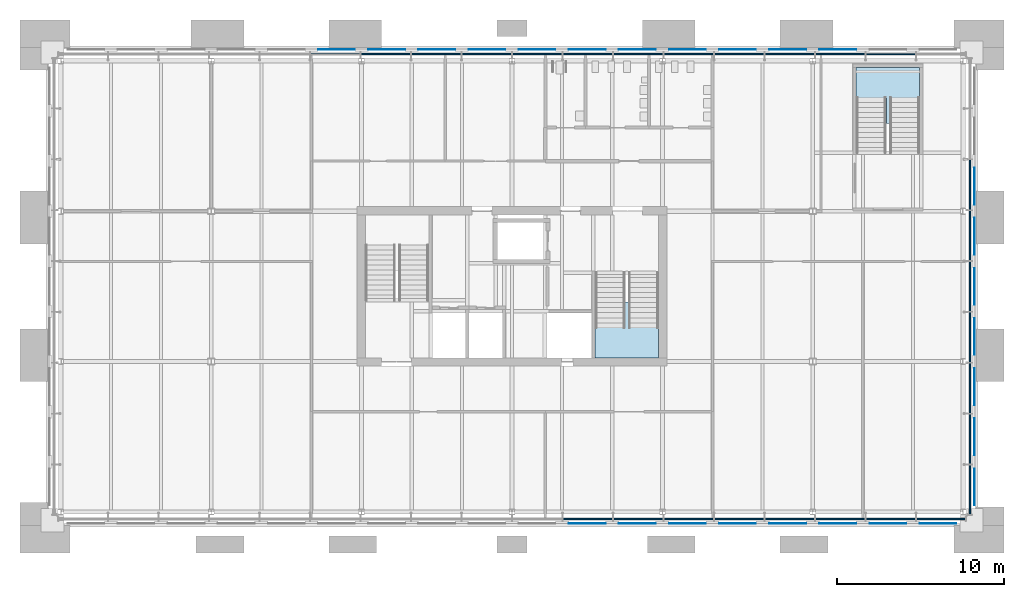
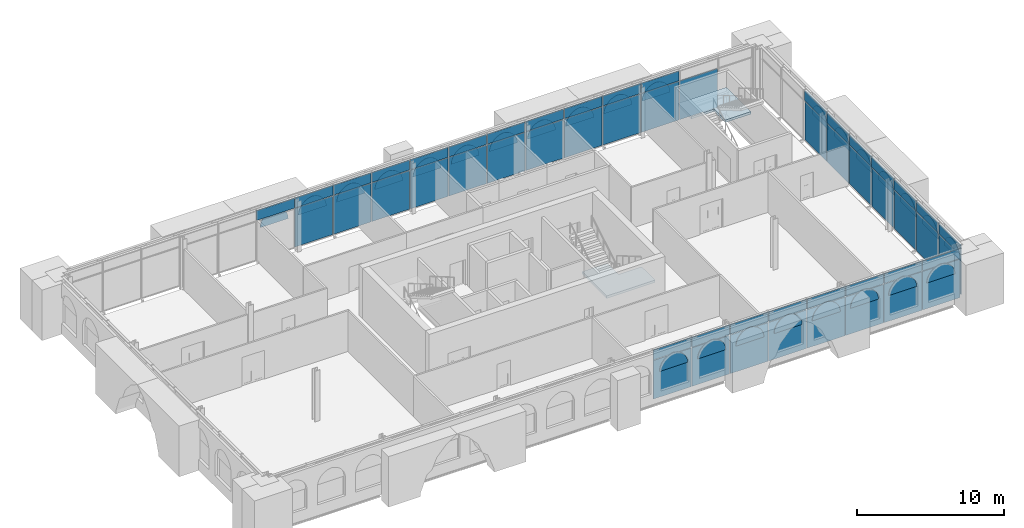
# One storey, part 10 of 22: 78 plates, 2 slabs, 5 elements without a shape of their own.
"""IFC4 building model written with IfcOpenShell, lengths in metres."""

from ifc_helpers import new_model, si_unit, direction, frame, origin, origin_2d, place, context, subcontext, project, spatial, polyline, rectangle, outline, extrude, material, layer, layer_set, type_object, element, aggregate, save


model = new_model("IFC4")

# Units and contexts
model_context = context("Model", 3, precision=1e-05, world=origin(), true_north=direction((0.0, 1.0)))
body_context = subcontext(model_context, "Body", "Model", "MODEL_VIEW")
ifc_project = project(units=[si_unit("LENGTHUNIT", "METRE"), si_unit("AREAUNIT", "SQUARE_METRE"), si_unit("VOLUMEUNIT", "CUBIC_METRE"), si_unit("PLANEANGLEUNIT", "RADIAN"), si_unit("MASSUNIT", "GRAM", prefix="KILO")], contexts=[model_context])

# Site, building, storey
site_placement = place(None, origin())
site = spatial("IfcSite", under=ifc_project, at=site_placement, CompositionType="ELEMENT")
building_placement = place(site_placement, origin())
building = spatial("IfcBuilding", under=site, at=building_placement, Name="Baradari Gate Terminus", CompositionType="ELEMENT")
storey_placement = place(building_placement, frame((0.0, 0.0, 28.5)))
storey = spatial("IfcBuildingStorey", under=building, at=storey_placement, Name="L06", CompositionType="ELEMENT", Elevation=28.5)

# Plates
ifc_material_1 = material(Name="Insulating glass unit", Category="glass")
ifc_layer_1 = layer(ifc_material_1, 0.0400390625)
ifc_layer_set_1 = layer_set([ifc_layer_1], Name="Insulating glass unit")
plate_type_1 = type_object("IfcPlateType", Name="Arch head glazing CP-AH 40", PredefinedType="SHEET", material=ifc_layer_set_1)
for number, where, z_axis, x_axis, name in (
    (1, (39.39990234375, 116.320068359375, 2.39990234375), (0.0, 0.0, 1.0), (1.0, 0.0, 0.0), "Arch head glazing CP-AH L06 S face 11"),
    (2, (42.39990234375, 116.320068359375, 2.39990234375), (0.0, 0.0, 1.0), (1.0, 0.0, 0.0), "Arch head glazing CP-AH L06 S face 12"),
    (3, (45.39990234375, 116.320068359375, 2.39990234375), (0.0, 0.0, 1.0), (1.0, 0.0, 0.0), "Arch head glazing CP-AH L06 S face 13"),
    (4, (48.39990234375, 116.320068359375, 2.39990234375), (0.0, 0.0, 1.0), (1.0, 0.0, 0.0), "Arch head glazing CP-AH L06 S face 14"),
    (5, (51.39990234375, 116.320068359375, 2.39990234375), (0.0, 0.0, 1.0), (1.0, 0.0, 0.0), "Arch head glazing CP-AH L06 S face 15"),
    (6, (54.39990234375, 116.320068359375, 2.39990234375), (0.0, 0.0, 1.0), (1.0, 0.0, 0.0), "Arch head glazing CP-AH L06 S face 16"),
    (7, (57.39990234375, 116.320068359375, 2.39990234375), (0.0, 0.0, 1.0), (1.0, 0.0, 0.0), "Arch head glazing CP-AH L06 S face 17"),
    (8, (60.39990234375, 116.320068359375, 2.39990234375), (0.0, 0.0, 1.0), (1.0, 0.0, 0.0), "Arch head glazing CP-AH L06 S face 18"),
    (9, (63.679931640625, 117.39990234375, 2.39990234375), (0.0, 0.0, 1.0), (0.0, 1.0, 0.0), "Arch head glazing CP-AH L06 E face 1"),
    (10, (63.679931640625, 120.39990234375, 2.39990234375), (0.0, 0.0, 1.0), (0.0, 1.0, 0.0), "Arch head glazing CP-AH L06 E face 2"),
    (11, (63.679931640625, 123.39990234375, 2.39990234375), (0.0, 0.0, 1.0), (0.0, 1.0, 0.0), "Arch head glazing CP-AH L06 E face 3"),
    (12, (63.679931640625, 126.39990234375, 2.39990234375), (0.0, 0.0, 1.0), (0.0, 1.0, 0.0), "Arch head glazing CP-AH L06 E face 4"),
    (13, (63.679931640625, 129.39990234375, 2.39990234375), (0.0, 0.0, 1.0), (0.0, 1.0, 0.0), "Arch head glazing CP-AH L06 E face 5"),
    (14, (63.679931640625, 132.39990234375, 2.39990234375), (0.0, 0.0, 1.0), (0.0, 1.0, 0.0), "Arch head glazing CP-AH L06 E face 6"),
    (15, (63.679931640625, 135.39990234375, 2.39990234375), (0.0, 0.0, 1.0), (0.0, 1.0, 0.0), "Arch head glazing CP-AH L06 E face 7"),
    (16, (56.60009765625, 144.679931640625, 2.39990234375), (0.0, 0.0, 1.0), (-1.0, 0.0, 0.0), "Arch head glazing CP-AH L06 N face 3"),
    (17, (53.60009765625, 144.679931640625, 2.39990234375), (0.0, 0.0, 1.0), (-1.0, 0.0, 0.0), "Arch head glazing CP-AH L06 N face 4"),
    (18, (50.60009765625, 144.679931640625, 2.39990234375), (0.0, 0.0, 1.0), (-1.0, 0.0, 0.0), "Arch head glazing CP-AH L06 N face 5"),
    (19, (47.60009765625, 144.679931640625, 2.39990234375), (0.0, 0.0, 1.0), (-1.0, 0.0, 0.0), "Arch head glazing CP-AH L06 N face 6"),
    (20, (44.60009765625, 144.679931640625, 2.39990234375), (0.0, 0.0, 1.0), (-1.0, 0.0, 0.0), "Arch head glazing CP-AH L06 N face 7"),
    (21, (41.60009765625, 144.679931640625, 2.39990234375), (0.0, 0.0, 1.0), (-1.0, 0.0, 0.0), "Arch head glazing CP-AH L06 N face 8"),
    (22, (38.60009765625, 144.679931640625, 2.39990234375), (0.0, 0.0, 1.0), (-1.0, 0.0, 0.0), "Arch head glazing CP-AH L06 N face 9"),
    (23, (35.60009765625, 144.679931640625, 2.39990234375), (0.0, 0.0, 1.0), (-1.0, 0.0, 0.0), "Arch head glazing CP-AH L06 N face 10"),
    (24, (32.60009765625, 144.679931640625, 2.39990234375), (0.0, 0.0, 1.0), (-1.0, 0.0, 0.0), "Arch head glazing CP-AH L06 N face 11"),
    (25, (29.60009765625, 144.679931640625, 2.39990234375), (0.0, 0.0, 1.0), (-1.0, 0.0, 0.0), "Arch head glazing CP-AH L06 N face 12"),
    (26, (26.60009765625, 144.679931640625, 2.39990234375), (0.0, 0.0, 1.0), (-1.0, 0.0, 0.0), "Arch head glazing CP-AH L06 N face 13"),
):
    element("IfcPlate", number, at=place(storey_placement, frame(where, z_axis=z_axis, x_axis=x_axis)), inside=storey, type_object=plate_type_1, Name=name, PredefinedType="SHEET", context=body_context, shape_type="SweptSolid", body=[
        extrude(outline(polyline([(0.0, 0.0), (2.199951171875, 0.0), (2.19091796875, 0.148681640625), (2.163330078125, 0.294921875), (2.1181640625, 0.436767578125), (2.0556640625, 0.572021484375), (1.97705078125, 0.6982421875), (1.88330078125, 0.81396484375), (1.776123046875, 0.917236328125), (1.6572265625, 1.006591796875), (1.52783203125, 1.08056640625), (1.390625, 1.137939453125), (1.247314453125, 1.177978515625), (1.10009765625, 1.2001953125), (0.952880859375, 1.177978515625), (0.809326171875, 1.137939453125), (0.672119140625, 1.08056640625), (0.54296875, 1.006591796875), (0.423828125, 0.917236328125), (0.316650390625, 0.81396484375), (0.222900390625, 0.6982421875), (0.144287109375, 0.572021484375), (0.08203125, 0.436767578125), (0.03662109375, 0.294921875), (0.00927734375, 0.148681640625), (0.0, 0.0)])), frame((0.0, 0.02001953125, 0.0), z_axis=(0.0, -1.0, 0.0), x_axis=(1.0, 0.0, 0.0)), (0.0, 0.0, 1.0), 0.0400390625),
    ])

# Curtain wall, plates
ifc_material_2 = material(Name="Aluminium 6063-T6", Category="aluminium")
curtain_wall_type = type_object("IfcCurtainWallType", Name="Curtain wall CW-12 block arcade floors, L06-L07", PredefinedType="NOTDEFINED", material=ifc_material_2)
curtain_wall_1_placement = place(storey_placement, origin())
curtain_wall_1 = element("IfcCurtainWall", 27, at=curtain_wall_1_placement, inside=storey, type_object=curtain_wall_type, Name="Curtain wall CW-12 Operations block S face L06", PredefinedType="NOTDEFINED")
ifc_material_3 = material(Name="Insulating glass unit", Category="glass")
ifc_layer_2 = layer(ifc_material_3, 0.06005859375)
ifc_layer_set_2 = layer_set([ifc_layer_2], Name="Insulating glass unit")
plate_type_2 = type_object("IfcPlateType", Name="Curtain wall glazing unit CP-12 60", PredefinedType="CURTAIN_PANEL", material=ifc_layer_set_2)
plate_1_placement = place(storey_placement, frame((40.533447265625, 116.592529296875, 0.06494140625), z_axis=(0.0, 0.0, 1.0), x_axis=(1.0, 0.0, 0.0)))
plate_1 = element("IfcPlate", 28, at=plate_1_placement, type_object=plate_type_2, Name="CW-12 panel 11.1", PredefinedType="CURTAIN_PANEL", context=body_context, shape_type="SweptSolid", body=[
    extrude(rectangle(XDim=2.957275390625, YDim=0.06005859375, at=origin_2d()), origin(), (0.0, 0.0, 1.0), 3.202392578125),
])
plate_2_placement = place(storey_placement, frame((43.5556640625, 116.592529296875, 0.06494140625), z_axis=(0.0, 0.0, 1.0), x_axis=(1.0, 0.0, 0.0)))
plate_2 = element("IfcPlate", 29, at=plate_2_placement, type_object=plate_type_2, Name="CW-12 panel 12.1", PredefinedType="CURTAIN_PANEL", context=body_context, shape_type="SweptSolid", body=[
    extrude(rectangle(XDim=2.957275390625, YDim=0.06005859375, at=origin_2d()), origin(), (0.0, 0.0, 1.0), 3.202392578125),
])
plate_3_placement = place(storey_placement, frame((46.577880859375, 116.592529296875, 0.06494140625), z_axis=(0.0, 0.0, 1.0), x_axis=(1.0, 0.0, 0.0)))
plate_3 = element("IfcPlate", 30, at=plate_3_placement, type_object=plate_type_2, Name="CW-12 panel 13.1", PredefinedType="CURTAIN_PANEL", context=body_context, shape_type="SweptSolid", body=[
    extrude(rectangle(XDim=2.957275390625, YDim=0.06005859375, at=origin_2d()), origin(), (0.0, 0.0, 1.0), 3.202392578125),
])
plate_4_placement = place(storey_placement, frame((49.60009765625, 116.592529296875, 0.06494140625), z_axis=(0.0, 0.0, 1.0), x_axis=(1.0, 0.0, 0.0)))
plate_4 = element("IfcPlate", 31, at=plate_4_placement, type_object=plate_type_2, Name="CW-12 panel 14.1", PredefinedType="CURTAIN_PANEL", context=body_context, shape_type="SweptSolid", body=[
    extrude(rectangle(XDim=2.957275390625, YDim=0.06005859375, at=origin_2d()), origin(), (0.0, 0.0, 1.0), 3.202392578125),
])
plate_5_placement = place(storey_placement, frame((52.622314453125, 116.592529296875, 0.06494140625), z_axis=(0.0, 0.0, 1.0), x_axis=(1.0, 0.0, 0.0)))
plate_5 = element("IfcPlate", 32, at=plate_5_placement, type_object=plate_type_2, Name="CW-12 panel 15.1", PredefinedType="CURTAIN_PANEL", context=body_context, shape_type="SweptSolid", body=[
    extrude(rectangle(XDim=2.957275390625, YDim=0.06005859375, at=origin_2d()), origin(), (0.0, 0.0, 1.0), 3.202392578125),
])
plate_6_placement = place(storey_placement, frame((55.64453125, 116.592529296875, 0.06494140625), z_axis=(0.0, 0.0, 1.0), x_axis=(1.0, 0.0, 0.0)))
plate_6 = element("IfcPlate", 33, at=plate_6_placement, type_object=plate_type_2, Name="CW-12 panel 16.1", PredefinedType="CURTAIN_PANEL", context=body_context, shape_type="SweptSolid", body=[
    extrude(rectangle(XDim=2.957275390625, YDim=0.06005859375, at=origin_2d()), origin(), (0.0, 0.0, 1.0), 3.202392578125),
])
plate_7_placement = place(storey_placement, frame((58.666748046875, 116.592529296875, 0.06494140625), z_axis=(0.0, 0.0, 1.0), x_axis=(1.0, 0.0, 0.0)))
plate_7 = element("IfcPlate", 34, at=plate_7_placement, type_object=plate_type_2, Name="CW-12 panel 17.1", PredefinedType="CURTAIN_PANEL", context=body_context, shape_type="SweptSolid", body=[
    extrude(rectangle(XDim=2.957275390625, YDim=0.06005859375, at=origin_2d()), origin(), (0.0, 0.0, 1.0), 3.202392578125),
])
plate_8_placement = place(storey_placement, frame((61.672607421875, 116.592529296875, 0.06494140625), z_axis=(0.0, 0.0, 1.0), x_axis=(1.0, 0.0, 0.0)))
plate_8 = element("IfcPlate", 35, at=plate_8_placement, type_object=plate_type_2, Name="CW-12 panel 18.1", PredefinedType="CURTAIN_PANEL", context=body_context, shape_type="SweptSolid", body=[
    extrude(rectangle(XDim=2.9248046875, YDim=0.06005859375, at=origin_2d()), origin(), (0.0, 0.0, 1.0), 3.202392578125),
])

curtain_wall_2_placement = place(storey_placement, origin())
curtain_wall_2 = element("IfcCurtainWall", 36, at=curtain_wall_2_placement, inside=storey, type_object=curtain_wall_type, Name="Curtain wall CW-12 Operations block E face L06", PredefinedType="NOTDEFINED")
plate_9_placement = place(storey_placement, frame((63.407470703125, 118.33837890625, 0.06494140625), z_axis=(0.0, 0.0, 1.0), x_axis=(0.0, 1.0, 0.0)))
plate_9 = element("IfcPlate", 37, at=plate_9_placement, type_object=plate_type_2, Name="CW-12 panel 1.1", PredefinedType="CURTAIN_PANEL", context=body_context, shape_type="SweptSolid", body=[
    extrude(rectangle(XDim=2.947021484375, YDim=0.06005859375, at=origin_2d()), origin(), (0.0, 0.0, 1.0), 3.202392578125),
])
plate_10_placement = place(storey_placement, frame((63.407470703125, 121.36669921875, 0.06494140625), z_axis=(0.0, 0.0, 1.0), x_axis=(0.0, 1.0, 0.0)))
plate_10 = element("IfcPlate", 38, at=plate_10_placement, type_object=plate_type_2, Name="CW-12 panel 2.1", PredefinedType="CURTAIN_PANEL", context=body_context, shape_type="SweptSolid", body=[
    extrude(rectangle(XDim=2.9794921875, YDim=0.06005859375, at=origin_2d()), origin(), (0.0, 0.0, 1.0), 3.202392578125),
])
plate_11_placement = place(storey_placement, frame((63.407470703125, 124.4111328125, 0.06494140625), z_axis=(0.0, 0.0, 1.0), x_axis=(0.0, 1.0, 0.0)))
plate_11 = element("IfcPlate", 39, at=plate_11_placement, type_object=plate_type_2, Name="CW-12 panel 3.1", PredefinedType="CURTAIN_PANEL", context=body_context, shape_type="SweptSolid", body=[
    extrude(rectangle(XDim=2.9794921875, YDim=0.06005859375, at=origin_2d()), origin(), (0.0, 0.0, 1.0), 3.202392578125),
])
plate_12_placement = place(storey_placement, frame((63.407470703125, 127.45556640625, 0.06494140625), z_axis=(0.0, 0.0, 1.0), x_axis=(0.0, 1.0, 0.0)))
plate_12 = element("IfcPlate", 40, at=plate_12_placement, type_object=plate_type_2, Name="CW-12 panel 4.1", PredefinedType="CURTAIN_PANEL", context=body_context, shape_type="SweptSolid", body=[
    extrude(rectangle(XDim=2.9794921875, YDim=0.06005859375, at=origin_2d()), origin(), (0.0, 0.0, 1.0), 3.202392578125),
])
plate_13_placement = place(storey_placement, frame((63.407470703125, 130.5, 0.06494140625), z_axis=(0.0, 0.0, 1.0), x_axis=(0.0, 1.0, 0.0)))
plate_13 = element("IfcPlate", 41, at=plate_13_placement, type_object=plate_type_2, Name="CW-12 panel 5.1", PredefinedType="CURTAIN_PANEL", context=body_context, shape_type="SweptSolid", body=[
    extrude(rectangle(XDim=2.9794921875, YDim=0.06005859375, at=origin_2d()), origin(), (0.0, 0.0, 1.0), 3.202392578125),
])
plate_14_placement = place(storey_placement, frame((63.407470703125, 133.54443359375, 0.06494140625), z_axis=(0.0, 0.0, 1.0), x_axis=(0.0, 1.0, 0.0)))
plate_14 = element("IfcPlate", 42, at=plate_14_placement, type_object=plate_type_2, Name="CW-12 panel 6.1", PredefinedType="CURTAIN_PANEL", context=body_context, shape_type="SweptSolid", body=[
    extrude(rectangle(XDim=2.9794921875, YDim=0.06005859375, at=origin_2d()), origin(), (0.0, 0.0, 1.0), 3.202392578125),
])
plate_15_placement = place(storey_placement, frame((63.407470703125, 136.5888671875, 0.06494140625), z_axis=(0.0, 0.0, 1.0), x_axis=(0.0, 1.0, 0.0)))
plate_15 = element("IfcPlate", 43, at=plate_15_placement, type_object=plate_type_2, Name="CW-12 panel 7.1", PredefinedType="CURTAIN_PANEL", context=body_context, shape_type="SweptSolid", body=[
    extrude(rectangle(XDim=2.9794921875, YDim=0.06005859375, at=origin_2d()), origin(), (0.0, 0.0, 1.0), 3.202392578125),
])

curtain_wall_3_placement = place(storey_placement, origin())
curtain_wall_3 = element("IfcCurtainWall", 44, at=curtain_wall_3_placement, inside=storey, type_object=curtain_wall_type, Name="Curtain wall CW-12 Operations block N face L06", PredefinedType="NOTDEFINED")
plate_16_placement = place(storey_placement, frame((58.666748046875, 144.407470703125, 0.06494140625), z_axis=(0.0, 0.0, 1.0), x_axis=(-1.0, 0.0, 0.0)))
plate_16 = element("IfcPlate", 45, at=plate_16_placement, type_object=plate_type_2, Name="CW-12 panel 2.1", PredefinedType="CURTAIN_PANEL", context=body_context, shape_type="SweptSolid", body=[
    extrude(rectangle(XDim=2.957275390625, YDim=0.06005859375, at=origin_2d()), origin(), (0.0, 0.0, 1.0), 3.202392578125),
])
plate_17_placement = place(storey_placement, frame((55.64453125, 144.407470703125, 0.06494140625), z_axis=(0.0, 0.0, 1.0), x_axis=(-1.0, 0.0, 0.0)))
plate_17 = element("IfcPlate", 46, at=plate_17_placement, type_object=plate_type_2, Name="CW-12 panel 3.1", PredefinedType="CURTAIN_PANEL", context=body_context, shape_type="SweptSolid", body=[
    extrude(rectangle(XDim=2.957275390625, YDim=0.06005859375, at=origin_2d()), origin(), (0.0, 0.0, 1.0), 3.202392578125),
])
plate_18_placement = place(storey_placement, frame((52.622314453125, 144.407470703125, 0.06494140625), z_axis=(0.0, 0.0, 1.0), x_axis=(-1.0, 0.0, 0.0)))
plate_18 = element("IfcPlate", 47, at=plate_18_placement, type_object=plate_type_2, Name="CW-12 panel 4.1", PredefinedType="CURTAIN_PANEL", context=body_context, shape_type="SweptSolid", body=[
    extrude(rectangle(XDim=2.957275390625, YDim=0.06005859375, at=origin_2d()), origin(), (0.0, 0.0, 1.0), 3.202392578125),
])
plate_19_placement = place(storey_placement, frame((49.60009765625, 144.407470703125, 0.06494140625), z_axis=(0.0, 0.0, 1.0), x_axis=(-1.0, 0.0, 0.0)))
plate_19 = element("IfcPlate", 48, at=plate_19_placement, type_object=plate_type_2, Name="CW-12 panel 5.1", PredefinedType="CURTAIN_PANEL", context=body_context, shape_type="SweptSolid", body=[
    extrude(rectangle(XDim=2.957275390625, YDim=0.06005859375, at=origin_2d()), origin(), (0.0, 0.0, 1.0), 3.202392578125),
])
plate_20_placement = place(storey_placement, frame((46.577880859375, 144.407470703125, 0.06494140625), z_axis=(0.0, 0.0, 1.0), x_axis=(-1.0, 0.0, 0.0)))
plate_20 = element("IfcPlate", 49, at=plate_20_placement, type_object=plate_type_2, Name="CW-12 panel 6.1", PredefinedType="CURTAIN_PANEL", context=body_context, shape_type="SweptSolid", body=[
    extrude(rectangle(XDim=2.957275390625, YDim=0.06005859375, at=origin_2d()), origin(), (0.0, 0.0, 1.0), 3.202392578125),
])
plate_21_placement = place(storey_placement, frame((43.5556640625, 144.407470703125, 0.06494140625), z_axis=(0.0, 0.0, 1.0), x_axis=(-1.0, 0.0, 0.0)))
plate_21 = element("IfcPlate", 50, at=plate_21_placement, type_object=plate_type_2, Name="CW-12 panel 7.1", PredefinedType="CURTAIN_PANEL", context=body_context, shape_type="SweptSolid", body=[
    extrude(rectangle(XDim=2.957275390625, YDim=0.06005859375, at=origin_2d()), origin(), (0.0, 0.0, 1.0), 3.202392578125),
])
plate_22_placement = place(storey_placement, frame((40.533447265625, 144.407470703125, 0.06494140625), z_axis=(0.0, 0.0, 1.0), x_axis=(-1.0, 0.0, 0.0)))
plate_22 = element("IfcPlate", 51, at=plate_22_placement, type_object=plate_type_2, Name="CW-12 panel 8.1", PredefinedType="CURTAIN_PANEL", context=body_context, shape_type="SweptSolid", body=[
    extrude(rectangle(XDim=2.957275390625, YDim=0.06005859375, at=origin_2d()), origin(), (0.0, 0.0, 1.0), 3.202392578125),
])
plate_23_placement = place(storey_placement, frame((37.51123046875, 144.407470703125, 0.06494140625), z_axis=(0.0, 0.0, 1.0), x_axis=(-1.0, 0.0, 0.0)))
plate_23 = element("IfcPlate", 52, at=plate_23_placement, type_object=plate_type_2, Name="CW-12 panel 9.1", PredefinedType="CURTAIN_PANEL", context=body_context, shape_type="SweptSolid", body=[
    extrude(rectangle(XDim=2.957275390625, YDim=0.06005859375, at=origin_2d()), origin(), (0.0, 0.0, 1.0), 3.202392578125),
])
plate_24_placement = place(storey_placement, frame((34.48876953125, 144.407470703125, 0.06494140625), z_axis=(0.0, 0.0, 1.0), x_axis=(-1.0, 0.0, 0.0)))
plate_24 = element("IfcPlate", 53, at=plate_24_placement, type_object=plate_type_2, Name="CW-12 panel 10.1", PredefinedType="CURTAIN_PANEL", context=body_context, shape_type="SweptSolid", body=[
    extrude(rectangle(XDim=2.957275390625, YDim=0.06005859375, at=origin_2d()), origin(), (0.0, 0.0, 1.0), 3.202392578125),
])
plate_25_placement = place(storey_placement, frame((31.466552734375, 144.407470703125, 0.06494140625), z_axis=(0.0, 0.0, 1.0), x_axis=(-1.0, 0.0, 0.0)))
plate_25 = element("IfcPlate", 54, at=plate_25_placement, type_object=plate_type_2, Name="CW-12 panel 11.1", PredefinedType="CURTAIN_PANEL", context=body_context, shape_type="SweptSolid", body=[
    extrude(rectangle(XDim=2.957275390625, YDim=0.06005859375, at=origin_2d()), origin(), (0.0, 0.0, 1.0), 3.202392578125),
])
plate_26_placement = place(storey_placement, frame((28.4443359375, 144.407470703125, 0.06494140625), z_axis=(0.0, 0.0, 1.0), x_axis=(-1.0, 0.0, 0.0)))
plate_26 = element("IfcPlate", 55, at=plate_26_placement, type_object=plate_type_2, Name="CW-12 panel 12.1", PredefinedType="CURTAIN_PANEL", context=body_context, shape_type="SweptSolid", body=[
    extrude(rectangle(XDim=2.957275390625, YDim=0.06005859375, at=origin_2d()), origin(), (0.0, 0.0, 1.0), 3.202392578125),
])

# Plate
ifc_material_4 = material(Name="Back-painted glass", Category="glass")
ifc_layer_3 = layer(ifc_material_4, 0.090087890625)
ifc_layer_set_3 = layer_set([ifc_layer_3], Name="Back-painted glass")
plate_type_3 = type_object("IfcPlateType", Name="Curtain wall spandrel panel CP-S12 90", PredefinedType="CURTAIN_PANEL", material=ifc_layer_set_3)
plate_27_placement = place(storey_placement, frame((40.533447265625, 116.592529296875, 3.33251953125), z_axis=(0.0, 0.0, 1.0), x_axis=(1.0, 0.0, 0.0)))
plate_27 = element("IfcPlate", 56, at=plate_27_placement, type_object=plate_type_3, Name="CW-12 spandrel panel 11.2", PredefinedType="CURTAIN_PANEL", context=body_context, shape_type="SweptSolid", body=[
    extrude(rectangle(XDim=2.957275390625, YDim=0.090087890625, at=origin_2d()), origin(), (0.0, 0.0, 1.0), 0.802490234375),
])

plate_28_placement = place(storey_placement, frame((43.5556640625, 116.592529296875, 3.33251953125), z_axis=(0.0, 0.0, 1.0), x_axis=(1.0, 0.0, 0.0)))
plate_28 = element("IfcPlate", 57, at=plate_28_placement, type_object=plate_type_3, Name="CW-12 spandrel panel 12.2", PredefinedType="CURTAIN_PANEL", context=body_context, shape_type="SweptSolid", body=[
    extrude(rectangle(XDim=2.957275390625, YDim=0.090087890625, at=origin_2d()), origin(), (0.0, 0.0, 1.0), 0.802490234375),
])

plate_29_placement = place(storey_placement, frame((46.577880859375, 116.592529296875, 3.33251953125), z_axis=(0.0, 0.0, 1.0), x_axis=(1.0, 0.0, 0.0)))
plate_29 = element("IfcPlate", 58, at=plate_29_placement, type_object=plate_type_3, Name="CW-12 spandrel panel 13.2", PredefinedType="CURTAIN_PANEL", context=body_context, shape_type="SweptSolid", body=[
    extrude(rectangle(XDim=2.957275390625, YDim=0.090087890625, at=origin_2d()), origin(), (0.0, 0.0, 1.0), 0.802490234375),
])

plate_30_placement = place(storey_placement, frame((49.60009765625, 116.592529296875, 3.33251953125), z_axis=(0.0, 0.0, 1.0), x_axis=(1.0, 0.0, 0.0)))
plate_30 = element("IfcPlate", 59, at=plate_30_placement, type_object=plate_type_3, Name="CW-12 spandrel panel 14.2", PredefinedType="CURTAIN_PANEL", context=body_context, shape_type="SweptSolid", body=[
    extrude(rectangle(XDim=2.957275390625, YDim=0.090087890625, at=origin_2d()), origin(), (0.0, 0.0, 1.0), 0.802490234375),
])

plate_31_placement = place(storey_placement, frame((52.622314453125, 116.592529296875, 3.33251953125), z_axis=(0.0, 0.0, 1.0), x_axis=(1.0, 0.0, 0.0)))
plate_31 = element("IfcPlate", 60, at=plate_31_placement, type_object=plate_type_3, Name="CW-12 spandrel panel 15.2", PredefinedType="CURTAIN_PANEL", context=body_context, shape_type="SweptSolid", body=[
    extrude(rectangle(XDim=2.957275390625, YDim=0.090087890625, at=origin_2d()), origin(), (0.0, 0.0, 1.0), 0.802490234375),
])

plate_32_placement = place(storey_placement, frame((55.64453125, 116.592529296875, 3.33251953125), z_axis=(0.0, 0.0, 1.0), x_axis=(1.0, 0.0, 0.0)))
plate_32 = element("IfcPlate", 61, at=plate_32_placement, type_object=plate_type_3, Name="CW-12 spandrel panel 16.2", PredefinedType="CURTAIN_PANEL", context=body_context, shape_type="SweptSolid", body=[
    extrude(rectangle(XDim=2.957275390625, YDim=0.090087890625, at=origin_2d()), origin(), (0.0, 0.0, 1.0), 0.802490234375),
])

plate_33_placement = place(storey_placement, frame((58.666748046875, 116.592529296875, 3.33251953125), z_axis=(0.0, 0.0, 1.0), x_axis=(1.0, 0.0, 0.0)))
plate_33 = element("IfcPlate", 62, at=plate_33_placement, type_object=plate_type_3, Name="CW-12 spandrel panel 17.2", PredefinedType="CURTAIN_PANEL", context=body_context, shape_type="SweptSolid", body=[
    extrude(rectangle(XDim=2.957275390625, YDim=0.090087890625, at=origin_2d()), origin(), (0.0, 0.0, 1.0), 0.802490234375),
])

plate_34_placement = place(storey_placement, frame((61.672607421875, 116.592529296875, 3.33251953125), z_axis=(0.0, 0.0, 1.0), x_axis=(1.0, 0.0, 0.0)))
plate_34 = element("IfcPlate", 63, at=plate_34_placement, type_object=plate_type_3, Name="CW-12 spandrel panel 18.2", PredefinedType="CURTAIN_PANEL", context=body_context, shape_type="SweptSolid", body=[
    extrude(rectangle(XDim=2.9248046875, YDim=0.090087890625, at=origin_2d()), origin(), (0.0, 0.0, 1.0), 0.802490234375),
])

aggregate(curtain_wall_1, [plate_1, plate_27, plate_2, plate_28, plate_3, plate_29, plate_4, plate_30, plate_5, plate_31, plate_6, plate_32, plate_7, plate_33, plate_8, plate_34])

plate_35_placement = place(storey_placement, frame((63.407470703125, 118.33837890625, 3.33251953125), z_axis=(0.0, 0.0, 1.0), x_axis=(0.0, 1.0, 0.0)))
plate_35 = element("IfcPlate", 64, at=plate_35_placement, type_object=plate_type_3, Name="CW-12 spandrel panel 1.2", PredefinedType="CURTAIN_PANEL", context=body_context, shape_type="SweptSolid", body=[
    extrude(rectangle(XDim=2.947021484375, YDim=0.090087890625, at=origin_2d()), origin(), (0.0, 0.0, 1.0), 0.802490234375),
])

plate_36_placement = place(storey_placement, frame((63.407470703125, 121.36669921875, 3.33251953125), z_axis=(0.0, 0.0, 1.0), x_axis=(0.0, 1.0, 0.0)))
plate_36 = element("IfcPlate", 65, at=plate_36_placement, type_object=plate_type_3, Name="CW-12 spandrel panel 2.2", PredefinedType="CURTAIN_PANEL", context=body_context, shape_type="SweptSolid", body=[
    extrude(rectangle(XDim=2.9794921875, YDim=0.090087890625, at=origin_2d()), origin(), (0.0, 0.0, 1.0), 0.802490234375),
])

plate_37_placement = place(storey_placement, frame((63.407470703125, 124.4111328125, 3.33251953125), z_axis=(0.0, 0.0, 1.0), x_axis=(0.0, 1.0, 0.0)))
plate_37 = element("IfcPlate", 66, at=plate_37_placement, type_object=plate_type_3, Name="CW-12 spandrel panel 3.2", PredefinedType="CURTAIN_PANEL", context=body_context, shape_type="SweptSolid", body=[
    extrude(rectangle(XDim=2.9794921875, YDim=0.090087890625, at=origin_2d()), origin(), (0.0, 0.0, 1.0), 0.802490234375),
])

plate_38_placement = place(storey_placement, frame((63.407470703125, 127.45556640625, 3.33251953125), z_axis=(0.0, 0.0, 1.0), x_axis=(0.0, 1.0, 0.0)))
plate_38 = element("IfcPlate", 67, at=plate_38_placement, type_object=plate_type_3, Name="CW-12 spandrel panel 4.2", PredefinedType="CURTAIN_PANEL", context=body_context, shape_type="SweptSolid", body=[
    extrude(rectangle(XDim=2.9794921875, YDim=0.090087890625, at=origin_2d()), origin(), (0.0, 0.0, 1.0), 0.802490234375),
])

plate_39_placement = place(storey_placement, frame((63.407470703125, 130.5, 3.33251953125), z_axis=(0.0, 0.0, 1.0), x_axis=(0.0, 1.0, 0.0)))
plate_39 = element("IfcPlate", 68, at=plate_39_placement, type_object=plate_type_3, Name="CW-12 spandrel panel 5.2", PredefinedType="CURTAIN_PANEL", context=body_context, shape_type="SweptSolid", body=[
    extrude(rectangle(XDim=2.9794921875, YDim=0.090087890625, at=origin_2d()), origin(), (0.0, 0.0, 1.0), 0.802490234375),
])

plate_40_placement = place(storey_placement, frame((63.407470703125, 133.54443359375, 3.33251953125), z_axis=(0.0, 0.0, 1.0), x_axis=(0.0, 1.0, 0.0)))
plate_40 = element("IfcPlate", 69, at=plate_40_placement, type_object=plate_type_3, Name="CW-12 spandrel panel 6.2", PredefinedType="CURTAIN_PANEL", context=body_context, shape_type="SweptSolid", body=[
    extrude(rectangle(XDim=2.9794921875, YDim=0.090087890625, at=origin_2d()), origin(), (0.0, 0.0, 1.0), 0.802490234375),
])

plate_41_placement = place(storey_placement, frame((63.407470703125, 136.5888671875, 3.33251953125), z_axis=(0.0, 0.0, 1.0), x_axis=(0.0, 1.0, 0.0)))
plate_41 = element("IfcPlate", 70, at=plate_41_placement, type_object=plate_type_3, Name="CW-12 spandrel panel 7.2", PredefinedType="CURTAIN_PANEL", context=body_context, shape_type="SweptSolid", body=[
    extrude(rectangle(XDim=2.9794921875, YDim=0.090087890625, at=origin_2d()), origin(), (0.0, 0.0, 1.0), 0.802490234375),
])

aggregate(curtain_wall_2, [plate_9, plate_35, plate_10, plate_36, plate_11, plate_37, plate_12, plate_38, plate_13, plate_39, plate_14, plate_40, plate_15, plate_41])

plate_42_placement = place(storey_placement, frame((55.64453125, 144.407470703125, 3.33251953125), z_axis=(0.0, 0.0, 1.0), x_axis=(-1.0, 0.0, 0.0)))
plate_42 = element("IfcPlate", 71, at=plate_42_placement, type_object=plate_type_3, Name="CW-12 spandrel panel 3.2", PredefinedType="CURTAIN_PANEL", context=body_context, shape_type="SweptSolid", body=[
    extrude(rectangle(XDim=2.957275390625, YDim=0.090087890625, at=origin_2d()), origin(), (0.0, 0.0, 1.0), 0.802490234375),
])

plate_43_placement = place(storey_placement, frame((52.622314453125, 144.407470703125, 3.33251953125), z_axis=(0.0, 0.0, 1.0), x_axis=(-1.0, 0.0, 0.0)))
plate_43 = element("IfcPlate", 72, at=plate_43_placement, type_object=plate_type_3, Name="CW-12 spandrel panel 4.2", PredefinedType="CURTAIN_PANEL", context=body_context, shape_type="SweptSolid", body=[
    extrude(rectangle(XDim=2.957275390625, YDim=0.090087890625, at=origin_2d()), origin(), (0.0, 0.0, 1.0), 0.802490234375),
])

plate_44_placement = place(storey_placement, frame((49.60009765625, 144.407470703125, 3.33251953125), z_axis=(0.0, 0.0, 1.0), x_axis=(-1.0, 0.0, 0.0)))
plate_44 = element("IfcPlate", 73, at=plate_44_placement, type_object=plate_type_3, Name="CW-12 spandrel panel 5.2", PredefinedType="CURTAIN_PANEL", context=body_context, shape_type="SweptSolid", body=[
    extrude(rectangle(XDim=2.957275390625, YDim=0.090087890625, at=origin_2d()), origin(), (0.0, 0.0, 1.0), 0.802490234375),
])

plate_45_placement = place(storey_placement, frame((46.577880859375, 144.407470703125, 3.33251953125), z_axis=(0.0, 0.0, 1.0), x_axis=(-1.0, 0.0, 0.0)))
plate_45 = element("IfcPlate", 74, at=plate_45_placement, type_object=plate_type_3, Name="CW-12 spandrel panel 6.2", PredefinedType="CURTAIN_PANEL", context=body_context, shape_type="SweptSolid", body=[
    extrude(rectangle(XDim=2.957275390625, YDim=0.090087890625, at=origin_2d()), origin(), (0.0, 0.0, 1.0), 0.802490234375),
])

plate_46_placement = place(storey_placement, frame((43.5556640625, 144.407470703125, 3.33251953125), z_axis=(0.0, 0.0, 1.0), x_axis=(-1.0, 0.0, 0.0)))
plate_46 = element("IfcPlate", 75, at=plate_46_placement, type_object=plate_type_3, Name="CW-12 spandrel panel 7.2", PredefinedType="CURTAIN_PANEL", context=body_context, shape_type="SweptSolid", body=[
    extrude(rectangle(XDim=2.957275390625, YDim=0.090087890625, at=origin_2d()), origin(), (0.0, 0.0, 1.0), 0.802490234375),
])

plate_47_placement = place(storey_placement, frame((40.533447265625, 144.407470703125, 3.33251953125), z_axis=(0.0, 0.0, 1.0), x_axis=(-1.0, 0.0, 0.0)))
plate_47 = element("IfcPlate", 76, at=plate_47_placement, type_object=plate_type_3, Name="CW-12 spandrel panel 8.2", PredefinedType="CURTAIN_PANEL", context=body_context, shape_type="SweptSolid", body=[
    extrude(rectangle(XDim=2.957275390625, YDim=0.090087890625, at=origin_2d()), origin(), (0.0, 0.0, 1.0), 0.802490234375),
])

plate_48_placement = place(storey_placement, frame((37.51123046875, 144.407470703125, 3.33251953125), z_axis=(0.0, 0.0, 1.0), x_axis=(-1.0, 0.0, 0.0)))
plate_48 = element("IfcPlate", 77, at=plate_48_placement, type_object=plate_type_3, Name="CW-12 spandrel panel 9.2", PredefinedType="CURTAIN_PANEL", context=body_context, shape_type="SweptSolid", body=[
    extrude(rectangle(XDim=2.957275390625, YDim=0.090087890625, at=origin_2d()), origin(), (0.0, 0.0, 1.0), 0.802490234375),
])

plate_49_placement = place(storey_placement, frame((34.48876953125, 144.407470703125, 3.33251953125), z_axis=(0.0, 0.0, 1.0), x_axis=(-1.0, 0.0, 0.0)))
plate_49 = element("IfcPlate", 78, at=plate_49_placement, type_object=plate_type_3, Name="CW-12 spandrel panel 10.2", PredefinedType="CURTAIN_PANEL", context=body_context, shape_type="SweptSolid", body=[
    extrude(rectangle(XDim=2.957275390625, YDim=0.090087890625, at=origin_2d()), origin(), (0.0, 0.0, 1.0), 0.802490234375),
])

plate_50_placement = place(storey_placement, frame((31.466552734375, 144.407470703125, 3.33251953125), z_axis=(0.0, 0.0, 1.0), x_axis=(-1.0, 0.0, 0.0)))
plate_50 = element("IfcPlate", 79, at=plate_50_placement, type_object=plate_type_3, Name="CW-12 spandrel panel 11.2", PredefinedType="CURTAIN_PANEL", context=body_context, shape_type="SweptSolid", body=[
    extrude(rectangle(XDim=2.957275390625, YDim=0.090087890625, at=origin_2d()), origin(), (0.0, 0.0, 1.0), 0.802490234375),
])

plate_51_placement = place(storey_placement, frame((28.4443359375, 144.407470703125, 3.33251953125), z_axis=(0.0, 0.0, 1.0), x_axis=(-1.0, 0.0, 0.0)))
plate_51 = element("IfcPlate", 80, at=plate_51_placement, type_object=plate_type_3, Name="CW-12 spandrel panel 12.2", PredefinedType="CURTAIN_PANEL", context=body_context, shape_type="SweptSolid", body=[
    extrude(rectangle(XDim=2.957275390625, YDim=0.090087890625, at=origin_2d()), origin(), (0.0, 0.0, 1.0), 0.802490234375),
])

plate_52_placement = place(storey_placement, frame((25.422119140625, 144.407470703125, 3.33251953125), z_axis=(0.0, 0.0, 1.0), x_axis=(-1.0, 0.0, 0.0)))
plate_52 = element("IfcPlate", 81, at=plate_52_placement, type_object=plate_type_3, Name="CW-12 spandrel panel 13.2", PredefinedType="CURTAIN_PANEL", context=body_context, shape_type="SweptSolid", body=[
    extrude(rectangle(XDim=2.957275390625, YDim=0.090087890625, at=origin_2d()), origin(), (0.0, 0.0, 1.0), 0.802490234375),
])

aggregate(curtain_wall_3, [plate_16, plate_17, plate_42, plate_18, plate_43, plate_19, plate_44, plate_20, plate_45, plate_21, plate_46, plate_22, plate_47, plate_23, plate_48, plate_24, plate_49, plate_25, plate_50, plate_26, plate_51, plate_52])

# Stair, slab
ifc_material_5 = material(Name="Concrete C32/40", Category="concrete")
stair_type_1 = type_object("IfcStairType", Name="Exit stair ST-T2 riser 175 x 1800", PredefinedType="HALF_TURN_STAIR", material=ifc_material_5)
stair_1_placement = place(storey_placement, origin())
stair_1 = element("IfcStair", 82, at=stair_1_placement, inside=storey, type_object=stair_type_1, Name="Stair ST-T2 L06 to L07", PredefinedType="HALF_TURN_STAIR")
ifc_material_6 = material(Name="Concrete C32/40", Category="concrete")
ifc_layer_4 = layer(ifc_material_6, 0.199951171875)
ifc_layer_set_4 = layer_set([ifc_layer_4], Name="Concrete C32/40")
slab_type = type_object("IfcSlabType", Name="Stair landing LS-1 200", PredefinedType="LANDING", material=ifc_layer_set_4)
slab_1_placement = place(storey_placement, frame((0.0, 0.0, 1.89990234375)))
slab_1 = element("IfcSlab", 83, at=slab_1_placement, type_object=slab_type, Name="ST-T2 landing 1", PredefinedType="LANDING", context=body_context, shape_type="SweptSolid", body=[
    extrude(outline(polyline([(44.77490234375, 126.22509765625), (44.77490234375, 128.044921875), (42.97509765625, 128.044921875), (42.97509765625, 129.56005859375), (42.77490234375, 129.56005859375), (40.97509765625, 129.56005859375), (40.97509765625, 126.22509765625), (44.77490234375, 126.22509765625)])), origin(), (0.0, 0.0, 1.0), 0.2001953125),
])
aggregate(stair_1, [slab_1])

ifc_material_7 = material(Name="Concrete C32/40", Category="concrete")
stair_type_2 = type_object("IfcStairType", Name="Exit stair ST-T3 riser 175 x 1800", PredefinedType="HALF_TURN_STAIR", material=ifc_material_7)
stair_2_placement = place(storey_placement, origin())
stair_2 = element("IfcStair", 84, at=stair_2_placement, inside=storey, type_object=stair_type_2, Name="Stair ST-T3 L06 to L07", PredefinedType="HALF_TURN_STAIR")
slab_2_placement = place(storey_placement, frame((0.0, 0.0, 1.89990234375)))
slab_2 = element("IfcSlab", 85, at=slab_2_placement, type_object=slab_type, Name="ST-T3 landing 1", PredefinedType="LANDING", context=body_context, shape_type="SweptSolid", body=[
    extrude(outline(polyline([(56.60009765625, 143.60009765625), (56.60009765625, 141.780029296875), (58.39990234375, 141.780029296875), (58.39990234375, 140.264892578125), (58.60009765625, 140.264892578125), (60.39990234375, 140.264892578125), (60.39990234375, 143.60009765625), (56.60009765625, 143.60009765625)])), origin(), (0.0, 0.0, 1.0), 0.2001953125),
])
aggregate(stair_2, [slab_2])

save(model, "model.ifc")
